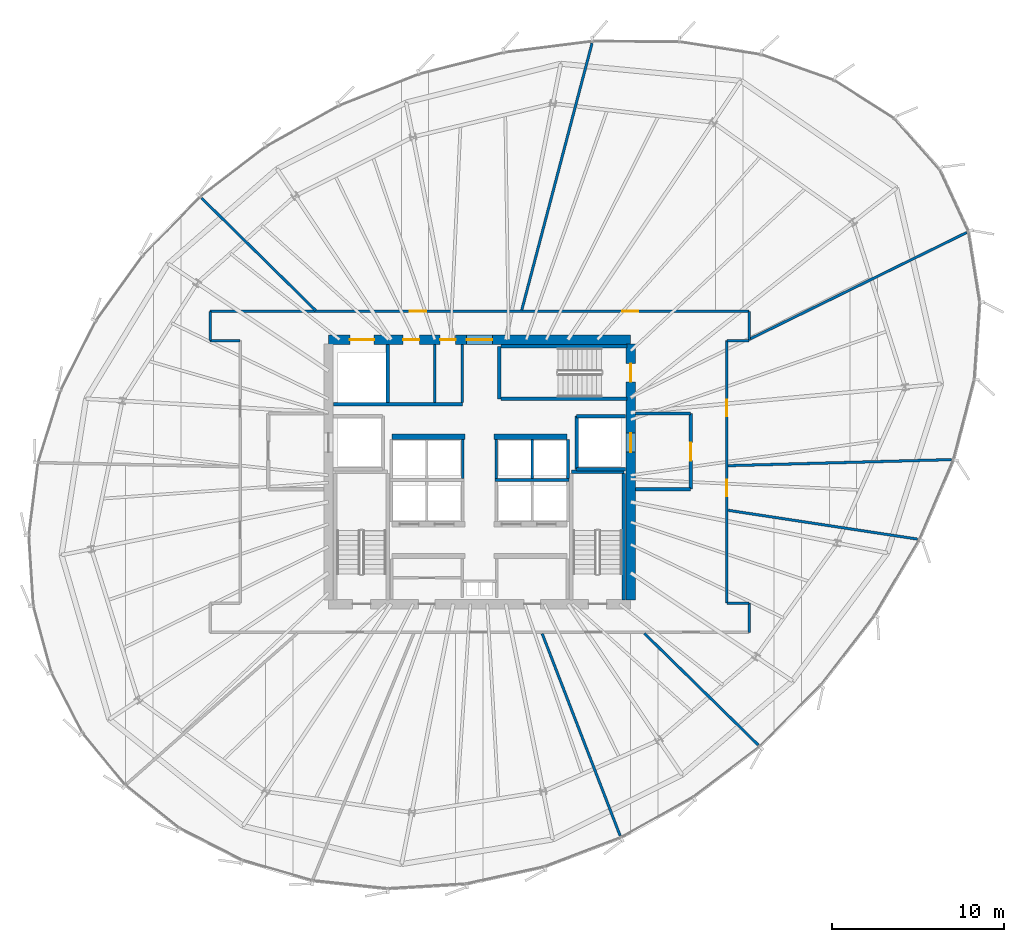
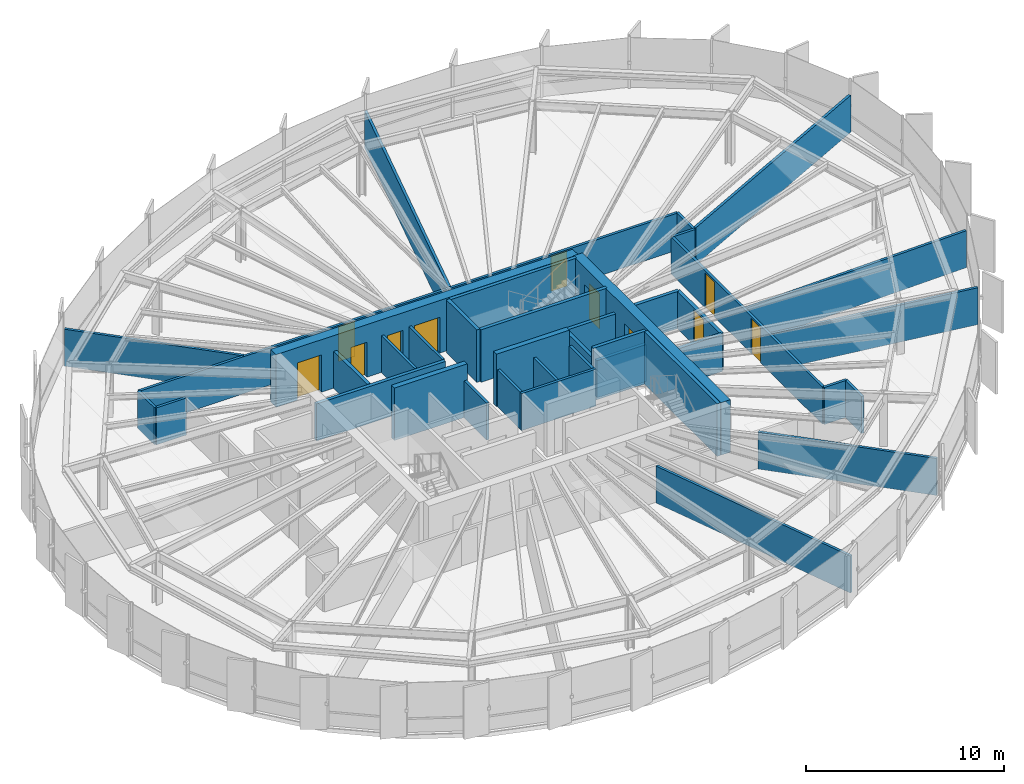
# One storey, part 30 of 35: 39 walls, 11 doors, 11 openings.
"""IFC4 building model written with IfcOpenShell, lengths in metres."""

from ifc_helpers import new_model, si_unit, direction, frame, frame_2d, origin, place, context, subcontext, project, spatial, rectangle, extrude, source, transform, mapped, material, layer, layer_set, type_object, element, fill, save


model = new_model("IFC4")

# Units and contexts
model_context = context("Model", 3, precision=1e-05, world=origin(), true_north=direction((0.0, 1.0)))
body_context = subcontext(model_context, "Body", "Model", "MODEL_VIEW")
ifc_project = project(units=[si_unit("LENGTHUNIT", "METRE"), si_unit("AREAUNIT", "SQUARE_METRE"), si_unit("VOLUMEUNIT", "CUBIC_METRE"), si_unit("PLANEANGLEUNIT", "RADIAN"), si_unit("MASSUNIT", "GRAM", prefix="KILO"), si_unit("THERMODYNAMICTEMPERATUREUNIT", "KELVIN")], contexts=[model_context])

# Site, building, storey
site_placement = place(None, origin())
site = spatial("IfcSite", under=ifc_project, at=site_placement, CompositionType="ELEMENT")
building_placement = place(site_placement, origin())
building = spatial("IfcBuilding", under=site, at=building_placement, Name="Kethvar Cultural Tower", CompositionType="ELEMENT")
storey_placement = place(building_placement, frame((0.0, 0.0, 167.85009765625)))
storey = spatial("IfcBuildingStorey", under=building, at=storey_placement, Name="L43", CompositionType="ELEMENT", Elevation=167.85009765625)

# Wall, openings, doors
ifc_material_1 = material(Name="Concrete C60/75", Category="concrete")
ifc_layer_1 = layer(ifc_material_1, 0.550048828125, Name="Concrete C60/75", Category="concrete")
ifc_layer_set_1 = layer_set([ifc_layer_1], Name="Concrete C60/75 (550 mm)")
wall_type_1 = type_object("IfcWallType", Name="WL-CORE-550", PredefinedType="SHEAR", material=ifc_layer_set_1)
wall_1_placement = place(storey_placement, frame((55.60009765625, 35.5, 0.0), z_axis=(0.0, 0.0, 1.0), x_axis=(-1.0, 0.0, 0.0)))
wall_1 = element("IfcWall", 1, at=wall_1_placement, inside=storey, type_object=wall_type_1, Name="L43 Core Shear Wall N", PredefinedType="SHEAR", context=body_context, shape_type="SweptSolid", body=[
    extrude(rectangle(XDim=17.60009765625, YDim=0.550048828125, at=frame_2d((8.800048828125, 0.0))), origin(), (0.0, 0.0, 1.0), 3.239990234375),
])
opening_1_placement = place(wall_1_placement, frame((8.050048828125, 0.0, 0.0)))
opening_1 = element("IfcOpeningElement", 2, at=opening_1_placement, cuts=wall_1, Name="Opening D-L43-LN", PredefinedType="OPENING", context=body_context, shape_type="SweptSolid", body=[
    extrude(rectangle(XDim=1.5, YDim=2.199951171875, at=frame_2d((0.75, 1.10009765625))), frame((0.0, 0.284912109375, 0.0), z_axis=(0.0, -1.0, 0.0), x_axis=(1.0, 0.0, 0.0)), (0.0, 0.0, 1.0), 0.570068359375),
])
opening_2_placement = place(wall_1_placement, frame((14.949951171875, 0.0, 0.0)))
opening_2 = element("IfcOpeningElement", 3, at=opening_2_placement, cuts=wall_1, Name="Opening LD-G1", PredefinedType="OPENING", context=body_context, shape_type="SweptSolid", body=[
    extrude(rectangle(XDim=1.39990234375, YDim=2.300048828125, at=frame_2d((0.699951171875, 1.14990234375))), frame((0.0, 0.284912109375, 0.0), z_axis=(0.0, -1.0, 0.0), x_axis=(1.0, 0.0, 0.0)), (0.0, 0.0, 1.0), 0.570068359375),
])
opening_3_placement = place(wall_1_placement, frame((12.300048828125, 0.0, 0.0)))
opening_3 = element("IfcOpeningElement", 4, at=opening_3_placement, cuts=wall_1, Name="Opening D-L43-W1", PredefinedType="OPENING", context=body_context, shape_type="SweptSolid", body=[
    extrude(rectangle(XDim=0.949951171875, YDim=2.14990234375, at=frame_2d((0.47509765625, 1.074951171875))), frame((0.0, 0.284912109375, 0.0), z_axis=(0.0, -1.0, 0.0), x_axis=(1.0, 0.0, 0.0)), (0.0, 0.0, 1.0), 0.570068359375),
])
opening_4_placement = place(wall_1_placement, frame((10.199951171875, 0.0, 0.0)))
opening_4 = element("IfcOpeningElement", 5, at=opening_4_placement, cuts=wall_1, Name="Opening D-L43-W2", PredefinedType="OPENING", context=body_context, shape_type="SweptSolid", body=[
    extrude(rectangle(XDim=0.89990234375, YDim=2.14990234375, at=frame_2d((0.449951171875, 1.074951171875))), frame((0.0, 0.284912109375, 0.0), z_axis=(0.0, -1.0, 0.0), x_axis=(1.0, 0.0, 0.0)), (0.0, 0.0, 1.0), 0.570068359375),
])
ifc_material_2 = material(Name="Architectural Oak Timber", Category="wood")
door_type_1 = type_object("IfcDoorType", Name="DR-DBL-FD60-1500", OperationType="DOUBLE_DOOR_SINGLE_SWING", PredefinedType="DOOR", material=ifc_material_2)
shared_shape_1 = source(origin(), body_context, "Body", "SweptSolid", [
    extrude(rectangle(XDim=1.5, YDim=2.199951171875, at=frame_2d((0.75, 1.10009765625))), frame((0.0, 0.02490234375, 0.0), z_axis=(0.0, -1.0, 0.0), x_axis=(1.0, 0.0, 0.0)), (0.0, 0.0, 1.0), 0.050048828125),
])
door_1_placement = place(opening_1_placement, origin())
door_1 = element("IfcDoor", 6, at=door_1_placement, inside=storey, type_object=door_type_1, Name="L43 Lift Lobby Concourse Door", OperationType="DOUBLE_DOOR_SINGLE_SWING", OverallHeight=2.199951171875, OverallWidth=1.5, PredefinedType="DOOR", context=body_context, shape_type="MappedRepresentation", body=[
    mapped(shared_shape_1, transform((0.0, 0.0, 0.0), scale=1.0)),
])
fill(opening_1, door_1)
ifc_material_3 = material(Name="Steel S355J2", Category="steel")
door_type_2 = type_object("IfcDoorType", Name="DR-LIFT-SLIDE-1400", OperationType="NOTDEFINED", PredefinedType="DOOR", material=ifc_material_3)
shared_shape_2 = source(origin(), body_context, "Body", "SweptSolid", [
    extrude(rectangle(XDim=1.39990234375, YDim=2.300048828125, at=frame_2d((0.699951171875, 1.14990234375))), frame((0.0, 0.02490234375, 0.0), z_axis=(0.0, -1.0, 0.0), x_axis=(1.0, 0.0, 0.0)), (0.0, 0.0, 1.0), 0.050048828125),
])
door_2_placement = place(opening_2_placement, origin())
door_2 = element("IfcDoor", 7, at=door_2_placement, inside=storey, type_object=door_type_2, Name="L43 Goods Lift Landing Door", OperationType="SLIDING_TO_RIGHT", OverallHeight=2.300048828125, OverallWidth=1.39990234375, PredefinedType="DOOR", context=body_context, shape_type="MappedRepresentation", body=[
    mapped(shared_shape_2, transform((0.0, 0.0, 0.0), scale=1.0)),
])
fill(opening_2, door_2)
door_type_3 = type_object("IfcDoorType", Name="DR-FD30-950", OperationType="NOTDEFINED", PredefinedType="DOOR", material=ifc_material_2)
shared_shape_3 = source(origin(), body_context, "Body", "SweptSolid", [
    extrude(rectangle(XDim=0.949951171875, YDim=2.14990234375, at=frame_2d((0.47509765625, 1.074951171875))), frame((0.0, 0.02490234375, 0.0), z_axis=(0.0, -1.0, 0.0), x_axis=(1.0, 0.0, 0.0)), (0.0, 0.0, 1.0), 0.050048828125),
])
door_3_placement = place(opening_3_placement, origin())
door_3 = element("IfcDoor", 8, at=door_3_placement, inside=storey, type_object=door_type_3, Name="L43 Public Washroom Door", OperationType="SINGLE_SWING_LEFT", OverallHeight=2.14990234375, OverallWidth=0.949951171875, PredefinedType="DOOR", context=body_context, shape_type="MappedRepresentation", body=[
    mapped(shared_shape_3, transform((0.0, 0.0, 0.0), scale=1.0)),
])
fill(opening_3, door_3)
door_type_4 = type_object("IfcDoorType", Name="DR-FD30-900", OperationType="NOTDEFINED", PredefinedType="DOOR", material=ifc_material_2)
shared_shape_4 = source(origin(), body_context, "Body", "SweptSolid", [
    extrude(rectangle(XDim=0.89990234375, YDim=2.14990234375, at=frame_2d((0.449951171875, 1.074951171875))), frame((0.0, 0.02490234375, 0.0), z_axis=(0.0, -1.0, 0.0), x_axis=(1.0, 0.0, 0.0)), (0.0, 0.0, 1.0), 0.050048828125),
])
door_4_placement = place(opening_4_placement, origin())
door_4 = element("IfcDoor", 9, at=door_4_placement, inside=storey, type_object=door_type_4, Name="L43 Accessible Washroom Door", OperationType="SINGLE_SWING_RIGHT", OverallHeight=2.14990234375, OverallWidth=0.89990234375, PredefinedType="DOOR", context=body_context, shape_type="MappedRepresentation", body=[
    mapped(shared_shape_4, transform((0.0, 0.0, 0.0), scale=1.0)),
])
fill(opening_4, door_4)

wall_2_placement = place(storey_placement, frame((55.60009765625, 20.340087890625, 0.0), z_axis=(0.0, 0.0, 1.0), x_axis=(0.0, 1.0, 0.0)))
wall_2 = element("IfcWall", 10, at=wall_2_placement, inside=storey, type_object=wall_type_1, Name="L43 Core Shear Wall E", PredefinedType="SHEAR", context=body_context, shape_type="SweptSolid", body=[
    extrude(rectangle(XDim=14.919921875, YDim=0.550048828125, at=frame_2d((7.4599609375, 0.0))), origin(), (0.0, 0.0, 1.0), 3.239990234375),
])
opening_5_placement = place(wall_2_placement, frame((12.7099609375, 0.0, 0.0)))
opening_5 = element("IfcOpeningElement", 11, at=opening_5_placement, cuts=wall_2, Name="Opening D-L43-S3", PredefinedType="OPENING", context=body_context, shape_type="SweptSolid", body=[
    extrude(rectangle(XDim=1.050048828125, YDim=2.14990234375, at=frame_2d((0.52490234375, 1.074951171875))), frame((0.0, 0.284912109375, 0.0), z_axis=(0.0, -1.0, 0.0), x_axis=(1.0, 0.0, 0.0)), (0.0, 0.0, 1.0), 0.570068359375),
])
opening_6_placement = place(wall_2_placement, frame((8.610107421875, 0.0, 0.0)))
opening_6 = element("IfcOpeningElement", 12, at=opening_6_placement, cuts=wall_2, Name="Opening LD-2", PredefinedType="OPENING", context=body_context, shape_type="SweptSolid", body=[
    extrude(rectangle(XDim=1.10009765625, YDim=2.199951171875, at=frame_2d((0.550048828125, 1.10009765625))), frame((0.0, 0.284912109375, 0.0), z_axis=(0.0, -1.0, 0.0), x_axis=(1.0, 0.0, 0.0)), (0.0, 0.0, 1.0), 0.570068359375),
])
door_type_5 = type_object("IfcDoorType", Name="DR-FD60-1050", OperationType="NOTDEFINED", PredefinedType="DOOR", material=ifc_material_3)
shared_shape_5 = source(origin(), body_context, "Body", "SweptSolid", [
    extrude(rectangle(XDim=1.050048828125, YDim=2.14990234375, at=frame_2d((0.52490234375, 1.074951171875))), frame((0.0, 0.02490234375, 0.0), z_axis=(0.0, -1.0, 0.0), x_axis=(1.0, 0.0, 0.0)), (0.0, 0.0, 1.0), 0.050048828125),
])
door_5_placement = place(opening_5_placement, origin())
door_5 = element("IfcDoor", 13, at=door_5_placement, inside=storey, type_object=door_type_5, Name="L43 Exit Stair 3 Door", OperationType="SINGLE_SWING_LEFT", OverallHeight=2.14990234375, OverallWidth=1.050048828125, PredefinedType="DOOR", context=body_context, shape_type="MappedRepresentation", body=[
    mapped(shared_shape_5, transform((0.0, 0.0, 0.0), scale=1.0)),
])
fill(opening_5, door_5)
door_type_6 = type_object("IfcDoorType", Name="DR-LIFT-SLIDE-1100", OperationType="NOTDEFINED", PredefinedType="DOOR", material=ifc_material_3)
shared_shape_6 = source(origin(), body_context, "Body", "SweptSolid", [
    extrude(rectangle(XDim=1.10009765625, YDim=2.199951171875, at=frame_2d((0.550048828125, 1.10009765625))), frame((0.0, 0.02490234375, 0.0), z_axis=(0.0, -1.0, 0.0), x_axis=(1.0, 0.0, 0.0)), (0.0, 0.0, 1.0), 0.050048828125),
])
door_6_placement = place(opening_6_placement, origin())
door_6 = element("IfcDoor", 14, at=door_6_placement, inside=storey, type_object=door_type_6, Name="L43 Firefighting Lift Landing Door FFL-02", OperationType="SLIDING_TO_RIGHT", OverallHeight=2.199951171875, OverallWidth=1.10009765625, PredefinedType="DOOR", context=body_context, shape_type="MappedRepresentation", body=[
    mapped(shared_shape_6, transform((0.0, 0.0, 0.0), scale=1.0)),
])
fill(opening_6, door_6)

# Walls
ifc_material_4 = material(Name="Gypsum Fireboard Partition")
ifc_layer_2 = layer(ifc_material_4, 0.14990234375, Name="Gypsum Fireboard Partition")
ifc_layer_set_2 = layer_set([ifc_layer_2], Name="Gypsum Fireboard Partition (150 mm)")
wall_type_2 = type_object("IfcWallType", Name="WL-FIRE-150", PredefinedType="PARTITIONING", material=ifc_layer_set_2)
wall_3_placement = place(storey_placement, frame((47.699951171875, 27.324951171875, 0.0), z_axis=(0.0, 0.0, 1.0), x_axis=(1.0, 0.0, 0.0)))
element("IfcWall", 15, at=wall_3_placement, inside=storey, type_object=wall_type_2, Name="L43 Mid-High Lift Shaft Back Wall E", PredefinedType="PARTITIONING", context=body_context, shape_type="SweptSolid", body=[
    extrude(rectangle(XDim=4.320068359375, YDim=0.14990234375, at=frame_2d((2.16015625, 0.0))), origin(), (0.0, 0.0, 1.0), 2.27978515625),
])
for number, where, z_axis, x_axis, name in (
    (16, (45.824951171875, 27.409912109375, 0.0), (0.0, 0.0, 1.0), (0.0, 1.0, 0.0), "L43 High-Rise Lift Shaft Concourse Wall W"),
    (17, (47.77490234375, 27.409912109375, 0.0), (0.0, 0.0, 1.0), (0.0, 1.0, 0.0), "L43 High-Rise Lift Shaft Concourse Wall E"),
    (18, (49.875, 27.409912109375, 0.0), (0.0, 0.0, 1.0), (0.0, 1.0, 0.0), "L43 High-Rise Lift Shaft Divider E"),
    (19, (51.949951171875, 27.409912109375, 0.0), (0.0, 0.0, 1.0), (0.0, 1.0, 0.0), "L43 High-Rise Lift Shaft Outer Wall E"),
):
    element("IfcWall", number, at=place(storey_placement, frame(where, z_axis=z_axis, x_axis=x_axis)), inside=storey, type_object=wall_type_2, Name=name, PredefinedType="PARTITIONING", context=body_context, shape_type="SweptSolid", body=[
        extrude(rectangle(XDim=2.27001953125, YDim=0.14990234375, at=frame_2d((1.135009765625, 0.0))), origin(), (0.0, 0.0, 1.0), 2.27978515625),
    ])
wall_4_placement = place(storey_placement, frame((45.800048828125, 31.85009765625, 0.0), z_axis=(0.0, 0.0, 1.0), x_axis=(0.0, 1.0, 0.0)))
element("IfcWall", 20, at=wall_4_placement, inside=storey, type_object=wall_type_2, Name="L43 Sanitary Spine Wall", PredefinedType="PARTITIONING", context=body_context, shape_type="SweptSolid", body=[
    extrude(rectangle(XDim=3.364990234375, YDim=0.14990234375, at=frame_2d((1.6826171875, 0.0))), origin(), (0.0, 0.0, 1.0), 2.27978515625),
])
wall_5_placement = place(storey_placement, frame((62.5, 18.449951171875, 0.0), z_axis=(0.0, 0.0, 1.0), x_axis=(0.0, 1.0, 0.0)))
element("IfcWall", 21, at=wall_5_placement, inside=storey, type_object=wall_type_2, Name="L43 Corridor Rated Wall ES", PredefinedType="PARTITIONING", context=body_context, shape_type="SweptSolid", body=[
    extrude(rectangle(XDim=1.699951171875, YDim=0.14990234375, at=frame_2d((0.85009765625, 0.0))), origin(), (0.0, 0.0, 1.0), 2.27978515625),
])
wall_6_placement = place(storey_placement, frame((62.5, 20.14990234375, 0.0), z_axis=(0.0, 0.0, 1.0), x_axis=(-1.0, 0.0, 0.0)))
element("IfcWall", 22, at=wall_6_placement, inside=storey, type_object=wall_type_2, Name="L43 Corridor Rated Wall EST", PredefinedType="PARTITIONING", context=body_context, shape_type="SweptSolid", body=[
    extrude(rectangle(XDim=1.300048828125, YDim=0.14990234375, at=frame_2d((0.64990234375, 0.0))), origin(), (0.0, 0.0, 1.0), 2.27978515625),
])

# Wall, openings, doors
wall_7_placement = place(storey_placement, frame((61.199951171875, 20.14990234375, 0.0), z_axis=(0.0, 0.0, 1.0), x_axis=(0.0, 1.0, 0.0)))
wall_7 = element("IfcWall", 23, at=wall_7_placement, inside=storey, type_object=wall_type_2, Name="L43 Corridor Rated Wall EM", PredefinedType="PARTITIONING", context=body_context, shape_type="SweptSolid", body=[
    extrude(rectangle(XDim=15.300048828125, YDim=0.14990234375, at=frame_2d((7.64990234375, 0.0))), origin(), (0.0, 0.0, 1.0), 2.27978515625),
])
opening_7_placement = place(wall_7_placement, frame((6.239501953125, 0.0, 0.0)))
opening_7 = element("IfcOpeningElement", 24, at=opening_7_placement, cuts=wall_7, Name="Opening D-L43-05", PredefinedType="OPENING", context=body_context, shape_type="SweptSolid", body=[
    extrude(rectangle(XDim=0.949951171875, YDim=2.14990234375, at=frame_2d((0.47509765625, 1.074951171875))), frame((0.0, 0.0849609375, 0.0), z_axis=(0.0, -1.0, 0.0), x_axis=(1.0, 0.0, 0.0)), (0.0, 0.0, 1.0), 0.169921875),
])
opening_8_placement = place(wall_7_placement, frame((10.889404296875, 0.0, 0.0)))
opening_8 = element("IfcOpeningElement", 25, at=opening_8_placement, cuts=wall_7, Name="Opening D-L43-06", PredefinedType="OPENING", context=body_context, shape_type="SweptSolid", body=[
    extrude(rectangle(XDim=0.949951171875, YDim=2.14990234375, at=frame_2d((0.47509765625, 1.074951171875))), frame((0.0, 0.0849609375, 0.0), z_axis=(0.0, -1.0, 0.0), x_axis=(1.0, 0.0, 0.0)), (0.0, 0.0, 1.0), 0.169921875),
])
door_7_placement = place(opening_7_placement, origin())
door_7 = element("IfcDoor", 26, at=door_7_placement, inside=storey, type_object=door_type_3, Name="L43 Museum Design Book Shop 05 Door", OperationType="SINGLE_SWING_RIGHT", OverallHeight=2.14990234375, OverallWidth=0.949951171875, PredefinedType="DOOR", context=body_context, shape_type="MappedRepresentation", body=[
    mapped(shared_shape_3, transform((0.0, 0.0, 0.0), scale=1.0)),
])
fill(opening_7, door_7)
door_8_placement = place(opening_8_placement, origin())
door_8 = element("IfcDoor", 27, at=door_8_placement, inside=storey, type_object=door_type_3, Name="L43 Staff Tea Pantry 06 Door", OperationType="SINGLE_SWING_LEFT", OverallHeight=2.14990234375, OverallWidth=0.949951171875, PredefinedType="DOOR", context=body_context, shape_type="MappedRepresentation", body=[
    mapped(shared_shape_3, transform((0.0, 0.0, 0.0), scale=1.0)),
])
fill(opening_8, door_8)

# Walls
wall_8_placement = place(storey_placement, frame((61.199951171875, 35.449951171875, 0.0), z_axis=(0.0, 0.0, 1.0), x_axis=(1.0, 0.0, 0.0)))
element("IfcWall", 28, at=wall_8_placement, inside=storey, type_object=wall_type_2, Name="L43 Corridor Rated Wall ENT", PredefinedType="PARTITIONING", context=body_context, shape_type="SweptSolid", body=[
    extrude(rectangle(XDim=1.300048828125, YDim=0.14990234375, at=frame_2d((0.64990234375, 0.0))), origin(), (0.0, 0.0, 1.0), 2.27978515625),
])
wall_9_placement = place(storey_placement, frame((62.5, 35.449951171875, 0.0), z_axis=(0.0, 0.0, 1.0), x_axis=(0.0, 1.0, 0.0)))
element("IfcWall", 29, at=wall_9_placement, inside=storey, type_object=wall_type_2, Name="L43 Corridor Rated Wall EN", PredefinedType="PARTITIONING", context=body_context, shape_type="SweptSolid", body=[
    extrude(rectangle(XDim=1.699951171875, YDim=0.14990234375, at=frame_2d((0.85009765625, 0.0))), origin(), (0.0, 0.0, 1.0), 2.27978515625),
])

# Wall, openings, doors
wall_10_placement = place(storey_placement, frame((62.5, 37.14990234375, 0.0), z_axis=(0.0, 0.0, 1.0), x_axis=(-1.0, 0.0, 0.0)))
wall_10 = element("IfcWall", 30, at=wall_10_placement, inside=storey, type_object=wall_type_2, Name="L43 Corridor Rated Wall N", PredefinedType="PARTITIONING", context=body_context, shape_type="SweptSolid", body=[
    extrude(rectangle(XDim=31.39990234375, YDim=0.14990234375, at=frame_2d((15.699951171875, 0.0))), origin(), (0.0, 0.0, 1.0), 2.27978515625),
])
opening_9_placement = place(wall_10_placement, frame((6.4462890625, 0.0, 0.0)))
opening_9 = element("IfcOpeningElement", 31, at=opening_9_placement, cuts=wall_10, Name="Opening D-L43-07", PredefinedType="OPENING", context=body_context, shape_type="SweptSolid", body=[
    extrude(rectangle(XDim=0.949951171875, YDim=2.14990234375, at=frame_2d((0.47509765625, 1.074951171875))), frame((0.0, 0.0849609375, 0.0), z_axis=(0.0, -1.0, 0.0), x_axis=(1.0, 0.0, 0.0)), (0.0, 0.0, 1.0), 0.169921875),
])
opening_10_placement = place(wall_10_placement, frame((18.808349609375, 0.0, 0.0)))
opening_10 = element("IfcOpeningElement", 32, at=opening_10_placement, cuts=wall_10, Name="Opening D-L43-08", PredefinedType="OPENING", context=body_context, shape_type="SweptSolid", body=[
    extrude(rectangle(XDim=0.949951171875, YDim=2.14990234375, at=frame_2d((0.47509765625, 1.074951171875))), frame((0.0, 0.0849609375, 0.0), z_axis=(0.0, -1.0, 0.0), x_axis=(1.0, 0.0, 0.0)), (0.0, 0.0, 1.0), 0.169921875),
])
door_9_placement = place(opening_9_placement, origin())
door_9 = element("IfcDoor", 33, at=door_9_placement, inside=storey, type_object=door_type_3, Name="L43 Publication Archive Store 07 Door", OperationType="SINGLE_SWING_RIGHT", OverallHeight=2.14990234375, OverallWidth=0.949951171875, PredefinedType="DOOR", context=body_context, shape_type="MappedRepresentation", body=[
    mapped(shared_shape_3, transform((0.0, 0.0, 0.0), scale=1.0)),
])
fill(opening_9, door_9)
door_10_placement = place(opening_10_placement, origin())
door_10 = element("IfcDoor", 34, at=door_10_placement, inside=storey, type_object=door_type_3, Name="L43 Cultural Lecture Room 08 Door", OperationType="SINGLE_SWING_LEFT", OverallHeight=2.14990234375, OverallWidth=0.949951171875, PredefinedType="DOOR", context=body_context, shape_type="MappedRepresentation", body=[
    mapped(shared_shape_3, transform((0.0, 0.0, 0.0), scale=1.0)),
])
fill(opening_10, door_10)

# Walls
wall_11_placement = place(storey_placement, frame((31.10009765625, 37.14990234375, 0.0), z_axis=(0.0, 0.0, 1.0), x_axis=(0.0, -1.0, 0.0)))
element("IfcWall", 35, at=wall_11_placement, inside=storey, type_object=wall_type_2, Name="L43 Corridor Rated Wall WN", PredefinedType="PARTITIONING", context=body_context, shape_type="SweptSolid", body=[
    extrude(rectangle(XDim=1.699951171875, YDim=0.14990234375, at=frame_2d((0.85009765625, 0.0))), origin(), (0.0, 0.0, 1.0), 2.27978515625),
])
wall_12_placement = place(storey_placement, frame((31.10009765625, 35.449951171875, 0.0), z_axis=(0.0, 0.0, 1.0), x_axis=(1.0, 0.0, 0.0)))
element("IfcWall", 36, at=wall_12_placement, inside=storey, type_object=wall_type_2, Name="L43 Corridor Rated Wall WNT", PredefinedType="PARTITIONING", context=body_context, shape_type="SweptSolid", body=[
    extrude(rectangle(XDim=1.75, YDim=0.14990234375, at=frame_2d((0.875, 0.0))), origin(), (0.0, 0.0, 1.0), 2.27978515625),
])
ifc_material_5 = material(Name="Concrete C40/50", Category="concrete")
ifc_layer_3 = layer(ifc_material_5, 0.199951171875, Name="Concrete C40/50", Category="concrete")
ifc_layer_set_3 = layer_set([ifc_layer_3], Name="Concrete C40/50 (200 mm)")
wall_type_3 = type_object("IfcWallType", Name="WL-FIRE-200", PredefinedType="PARTITIONING", material=ifc_layer_set_3)
wall_13_placement = place(storey_placement, frame((52.449951171875, 27.949951171875, 0.0), z_axis=(0.0, 0.0, 1.0), x_axis=(0.0, 1.0, 0.0)))
element("IfcWall", 37, at=wall_13_placement, inside=storey, type_object=wall_type_3, Name="L43 FFL-02 Shaft Inner Wall", PredefinedType="PARTITIONING", context=body_context, shape_type="SweptSolid", body=[
    extrude(rectangle(XDim=3.10009765625, YDim=0.199951171875, at=frame_2d((1.550048828125, 0.0))), origin(), (0.0, 0.0, 1.0), 2.27978515625),
])
for number, where, z_axis, x_axis, name in (
    (38, (52.449951171875, 27.949951171875, 0.0), (0.0, 0.0, 1.0), (1.0, 0.0, 0.0), "L43 FFL-02 Shaft South Wall"),
    (39, (52.449951171875, 31.050048828125, 0.0), (0.0, 0.0, 1.0), (1.0, 0.0, 0.0), "L43 FFL-02 Shaft North Wall"),
):
    element("IfcWall", number, at=place(storey_placement, frame(where, z_axis=z_axis, x_axis=x_axis)), inside=storey, type_object=wall_type_3, Name=name, PredefinedType="PARTITIONING", context=body_context, shape_type="SweptSolid", body=[
        extrude(rectangle(XDim=2.864990234375, YDim=0.199951171875, at=frame_2d((1.4326171875, 0.0))), origin(), (0.0, 0.0, 1.0), 2.27978515625),
    ])

# Wall, opening, door
wall_14_placement = place(storey_placement, frame((59.10009765625, 26.800048828125, 0.0), z_axis=(0.0, 0.0, 1.0), x_axis=(0.0, 1.0, 0.0)))
wall_14 = element("IfcWall", 40, at=wall_14_placement, inside=storey, type_object=wall_type_3, Name="L43 Firefighting Lobby 2 Wall", PredefinedType="PARTITIONING", context=body_context, shape_type="SweptSolid", body=[
    extrude(rectangle(XDim=4.39990234375, YDim=0.199951171875, at=frame_2d((2.199951171875, 0.0))), origin(), (0.0, 0.0, 1.0), 2.27978515625),
])
opening_11_placement = place(wall_14_placement, frame((1.64990234375, 0.0, 0.0)))
opening_11 = element("IfcOpeningElement", 41, at=opening_11_placement, cuts=wall_14, Name="Opening D-L43-F2", PredefinedType="OPENING", context=body_context, shape_type="SweptSolid", body=[
    extrude(rectangle(XDim=1.050048828125, YDim=2.14990234375, at=frame_2d((0.52490234375, 1.074951171875))), frame((0.0, 0.10986328125, 0.0), z_axis=(0.0, -1.0, 0.0), x_axis=(1.0, 0.0, 0.0)), (0.0, 0.0, 1.0), 0.219970703125),
])
door_11_placement = place(opening_11_placement, origin())
door_11 = element("IfcDoor", 42, at=door_11_placement, inside=storey, type_object=door_type_5, Name="L43 Firefighting Lobby 2 Fire Door", OperationType="SINGLE_SWING_LEFT", OverallHeight=2.14990234375, OverallWidth=1.050048828125, PredefinedType="DOOR", context=body_context, shape_type="MappedRepresentation", body=[
    mapped(shared_shape_5, transform((0.0, 0.0, 0.0), scale=1.0)),
])
fill(opening_11, door_11)

# Walls
for number, where, z_axis, x_axis, name in (
    (43, (55.885009765625, 26.800048828125, 0.0), (0.0, 0.0, 1.0), (1.0, 0.0, 0.0), "L43 FF Lobby 2 South Wall"),
    (44, (55.885009765625, 31.199951171875, 0.0), (0.0, 0.0, 1.0), (1.0, 0.0, 0.0), "L43 FF Lobby 2 North Wall"),
):
    element("IfcWall", number, at=place(storey_placement, frame(where, z_axis=z_axis, x_axis=x_axis)), inside=storey, type_object=wall_type_3, Name=name, PredefinedType="PARTITIONING", context=body_context, shape_type="SweptSolid", body=[
        extrude(rectangle(XDim=3.215087890625, YDim=0.199951171875, at=frame_2d((1.607421875, 0.0))), origin(), (0.0, 0.0, 1.0), 2.27978515625),
    ])
wall_15_placement = place(storey_placement, frame((41.449951171875, 31.85009765625, 0.0), z_axis=(0.0, 0.0, 1.0), x_axis=(0.0, 1.0, 0.0)))
element("IfcWall", 45, at=wall_15_placement, inside=storey, type_object=wall_type_3, Name="L43 NW Core Pocket Wall", PredefinedType="PARTITIONING", context=body_context, shape_type="SweptSolid", body=[
    extrude(rectangle(XDim=3.364990234375, YDim=0.199951171875, at=frame_2d((1.6826171875, 0.0))), origin(), (0.0, 0.0, 1.0), 2.27978515625),
])
wall_16_placement = place(storey_placement, frame((38.284912109375, 31.72998046875, 0.0), z_axis=(0.0, 0.0, 1.0), x_axis=(1.0, 0.0, 0.0)))
element("IfcWall", 46, at=wall_16_placement, inside=storey, type_object=wall_type_3, Name="L43 North Core Sanitary South Wall", PredefinedType="PARTITIONING", context=body_context, shape_type="SweptSolid", body=[
    extrude(rectangle(XDim=7.51513671875, YDim=0.199951171875, at=frame_2d((3.757568359375, 0.0))), origin(), (0.0, 0.0, 1.0), 2.27978515625),
])
ifc_material_6 = material(Name="Gypsum Acoustic Partition")
ifc_layer_4 = layer(ifc_material_6, 0.14990234375, Name="Gypsum Acoustic Partition")
ifc_layer_set_4 = layer_set([ifc_layer_4], Name="Gypsum Acoustic Partition (150 mm)")
wall_type_4 = type_object("IfcWallType", Name="WL-PART-150", PredefinedType="PARTITIONING", material=ifc_layer_set_4)
wall_17_placement = place(storey_placement, frame((50.447998046875, 18.37548828125, 0.0), z_axis=(0.0, 0.0, 1.0), x_axis=(0.359868219022, -0.933003143048, 0.0)))
element("IfcWall", 47, at=wall_17_placement, inside=storey, type_object=wall_type_4, Name="L43 Radial Partition Wall 03", PredefinedType="PARTITIONING", context=body_context, shape_type="SweptSolid", body=[
    extrude(rectangle(XDim=12.619873046875, YDim=0.14990234375, at=frame_2d((6.31005859375, 0.0))), origin(), (0.0, 0.0, 1.0), 2.27978515625),
])
wall_18_placement = place(storey_placement, frame((56.396484375, 18.39404296875, 0.0), z_axis=(0.0, 0.0, 1.0), x_axis=(0.7142249136, -0.699916261272, 0.0)))
element("IfcWall", 48, at=wall_18_placement, inside=storey, type_object=wall_type_4, Name="L43 Radial Partition Wall 04", PredefinedType="PARTITIONING", context=body_context, shape_type="SweptSolid", body=[
    extrude(rectangle(XDim=9.299072265625, YDim=0.14990234375, at=frame_2d((4.6494140625, 0.0))), origin(), (0.0, 0.0, 1.0), 2.27978515625),
])
wall_19_placement = place(storey_placement, frame((61.279052734375, 25.5615234375, 0.0), z_axis=(0.0, 0.0, 1.0), x_axis=(0.988621170769, -0.150426662225, 0.0)))
element("IfcWall", 49, at=wall_19_placement, inside=storey, type_object=wall_type_4, Name="L43 Radial Partition Wall 05", PredefinedType="PARTITIONING", context=body_context, shape_type="SweptSolid", body=[
    extrude(rectangle(XDim=11.162841796875, YDim=0.14990234375, at=frame_2d((5.58154296875, 0.0))), origin(), (0.0, 0.0, 1.0), 2.27978515625),
])
wall_20_placement = place(storey_placement, frame((61.280029296875, 28.16064453125, 0.0), z_axis=(0.0, 0.0, 1.0), x_axis=(0.999631059962, 0.027161442505, 0.0)))
element("IfcWall", 50, at=wall_20_placement, inside=storey, type_object=wall_type_4, Name="L43 Radial Partition Wall 06", PredefinedType="PARTITIONING", context=body_context, shape_type="SweptSolid", body=[
    extrude(rectangle(XDim=13.0244140625, YDim=0.14990234375, at=frame_2d((6.51220703125, 0.0))), origin(), (0.0, 0.0, 1.0), 2.27978515625),
])
wall_21_placement = place(storey_placement, frame((62.57177734375, 35.548828125, 0.0), z_axis=(0.0, 0.0, 1.0), x_axis=(0.897447412434, 0.441121459369, 0.0)))
element("IfcWall", 51, at=wall_21_placement, inside=storey, type_object=wall_type_4, Name="L43 Radial Partition Wall 07", PredefinedType="PARTITIONING", context=body_context, shape_type="SweptSolid", body=[
    extrude(rectangle(XDim=14.050048828125, YDim=0.14990234375, at=frame_2d((7.02490234375, 0.0))), origin(), (0.0, 0.0, 1.0), 2.27978515625),
])
wall_22_placement = place(storey_placement, frame((49.2578125, 37.227294921875, 0.0), z_axis=(0.0, 0.0, 1.0), x_axis=(0.25468017692, 0.967025339629, 0.0)))
element("IfcWall", 52, at=wall_22_placement, inside=storey, type_object=wall_type_4, Name="L43 Radial Partition Wall 08", PredefinedType="PARTITIONING", context=body_context, shape_type="SweptSolid", body=[
    extrude(rectangle(XDim=16.075927734375, YDim=0.14990234375, at=frame_2d((8.0380859375, 0.0))), origin(), (0.0, 0.0, 1.0), 2.27978515625),
])
wall_23_placement = place(storey_placement, frame((37.248779296875, 37.2060546875, 0.0), z_axis=(0.0, 0.0, 1.0), x_axis=(-0.712469695258, 0.701702881096, 0.0)))
element("IfcWall", 53, at=wall_23_placement, inside=storey, type_object=wall_type_4, Name="L43 Radial Partition Wall 09", PredefinedType="PARTITIONING", context=body_context, shape_type="SweptSolid", body=[
    extrude(rectangle(XDim=9.319580078125, YDim=0.14990234375, at=frame_2d((4.65966796875, 0.0))), origin(), (0.0, 0.0, 1.0), 2.27978515625),
])
ifc_material_7 = material(Name="Moisture-Resistant Sanitary Chase Wall")
ifc_layer_5 = layer(ifc_material_7, 0.14990234375, Name="Moisture-Resistant Sanitary Chase Wall")
ifc_layer_set_5 = layer_set([ifc_layer_5], Name="Moisture-Resistant Sanitary Chase Wall (150 mm)")
wall_type_5 = type_object("IfcWallType", Name="WL-PLUMB-150", PredefinedType="PLUMBINGWALL", material=ifc_layer_set_5)
wall_24_placement = place(storey_placement, frame((44.199951171875, 31.85009765625, 0.0), z_axis=(0.0, 0.0, 1.0), x_axis=(0.0, 1.0, 0.0)))
element("IfcWall", 54, at=wall_24_placement, inside=storey, type_object=wall_type_5, Name="L43 Sanitary Plumbing Wall", PredefinedType="PLUMBINGWALL", context=body_context, shape_type="SweptSolid", body=[
    extrude(rectangle(XDim=3.364990234375, YDim=0.14990234375, at=frame_2d((1.6826171875, 0.0))), origin(), (0.0, 0.0, 1.0), 2.27978515625),
])
ifc_material_8 = material(Name="Concrete C50/60", Category="concrete")
ifc_layer_6 = layer(ifc_material_8, 0.300048828125, Name="Concrete C50/60", Category="concrete")
ifc_layer_set_6 = layer_set([ifc_layer_6], Name="Concrete C50/60 (300 mm)")
wall_type_6 = type_object("IfcWallType", Name="WL-SHAFT-300", PredefinedType="SHEAR", material=ifc_layer_set_6)
for number, where, z_axis, x_axis, name in (
    (55, (41.699951171875, 29.85009765625, 0.0), (0.0, 0.0, 1.0), (1.0, 0.0, 0.0), "L43 Core Lift Spine Wall MID3W"),
    (56, (47.64990234375, 29.85009765625, 0.0), (0.0, 0.0, 1.0), (1.0, 0.0, 0.0), "L43 Core Lift Spine Wall MID3E"),
):
    element("IfcWall", number, at=place(storey_placement, frame(where, z_axis=z_axis, x_axis=x_axis)), inside=storey, type_object=wall_type_6, Name=name, PredefinedType="SHEAR", context=body_context, shape_type="SweptSolid", body=[
        extrude(rectangle(XDim=4.25, YDim=0.300048828125, at=frame_2d((2.125, 0.0))), origin(), (0.0, 0.0, 1.0), 3.239990234375),
    ])
ifc_layer_7 = layer(ifc_material_8, 0.199951171875, Name="Concrete C50/60", Category="concrete")
ifc_layer_set_7 = layer_set([ifc_layer_7], Name="Concrete C50/60 (200 mm)")
wall_type_7 = type_object("IfcWallType", Name="WL-STSHAFT-200", PredefinedType="SHEAR", material=ifc_layer_set_7)
wall_25_placement = place(storey_placement, frame((52.14990234375, 27.800048828125, 0.0), z_axis=(0.0, 0.0, 1.0), x_axis=(1.0, 0.0, 0.0)))
element("IfcWall", 57, at=wall_25_placement, inside=storey, type_object=wall_type_7, Name="L43 ST-02 Stair Shaft Wall FAR", PredefinedType="SHEAR", context=body_context, shape_type="SweptSolid", body=[
    extrude(rectangle(XDim=3.06005859375, YDim=0.199951171875, at=frame_2d((1.530029296875, 0.0))), origin(), (0.0, 0.0, 1.0), 3.239990234375),
])
wall_26_placement = place(storey_placement, frame((55.2099609375, 27.699951171875, 0.0), z_axis=(0.0, 0.0, 1.0), x_axis=(0.0, -1.0, 0.0)))
element("IfcWall", 58, at=wall_26_placement, inside=storey, type_object=wall_type_7, Name="L43 ST-02 Stair Shaft Wall LEFT", PredefinedType="SHEAR", context=body_context, shape_type="SweptSolid", body=[
    extrude(rectangle(XDim=7.349853515625, YDim=0.199951171875, at=frame_2d((3.6748046875, 0.0))), origin(), (0.0, 0.0, 1.0), 3.239990234375),
])
wall_27_placement = place(storey_placement, frame((47.949951171875, 32.050048828125, 0.0), z_axis=(0.0, 0.0, 1.0), x_axis=(0.0, 1.0, 0.0)))
element("IfcWall", 59, at=wall_27_placement, inside=storey, type_object=wall_type_7, Name="L43 ST-03 Stair Shaft Wall FAR", PredefinedType="SHEAR", context=body_context, shape_type="SweptSolid", body=[
    extrude(rectangle(XDim=3.06005859375, YDim=0.199951171875, at=frame_2d((1.530029296875, 0.0))), origin(), (0.0, 0.0, 1.0), 3.239990234375),
])
for number, where, z_axis, x_axis, name in (
    (60, (48.050048828125, 35.110107421875, 0.0), (0.0, 0.0, 1.0), (1.0, 0.0, 0.0), "L43 ST-03 Stair Shaft Wall LEFT"),
    (61, (55.39990234375, 32.050048828125, 0.0), (0.0, 0.0, 1.0), (-1.0, 0.0, 0.0), "L43 ST-03 Stair Shaft Wall RIGHT"),
):
    element("IfcWall", number, at=place(storey_placement, frame(where, z_axis=z_axis, x_axis=x_axis)), inside=storey, type_object=wall_type_7, Name=name, PredefinedType="SHEAR", context=body_context, shape_type="SweptSolid", body=[
        extrude(rectangle(XDim=7.349853515625, YDim=0.199951171875, at=frame_2d((3.6748046875, 0.0))), origin(), (0.0, 0.0, 1.0), 3.239990234375),
    ])

save(model, "model.ifc")
